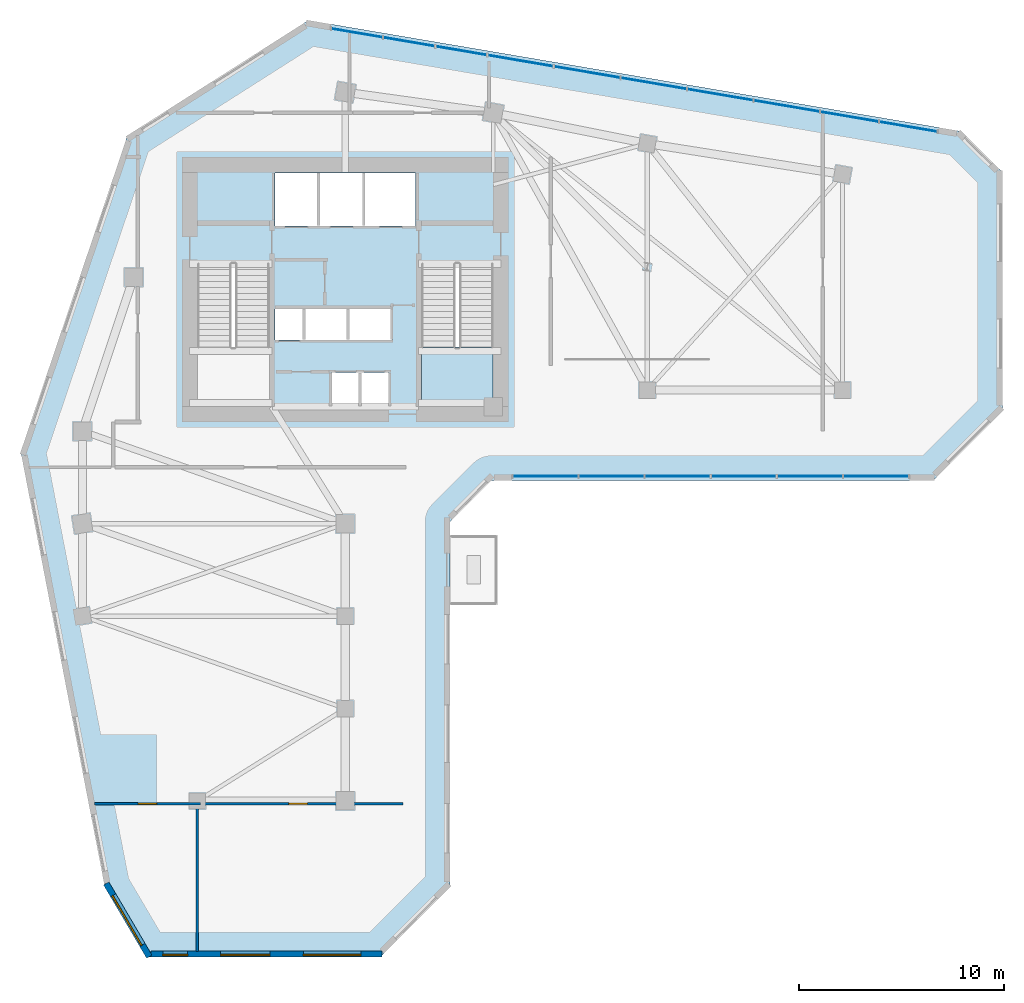
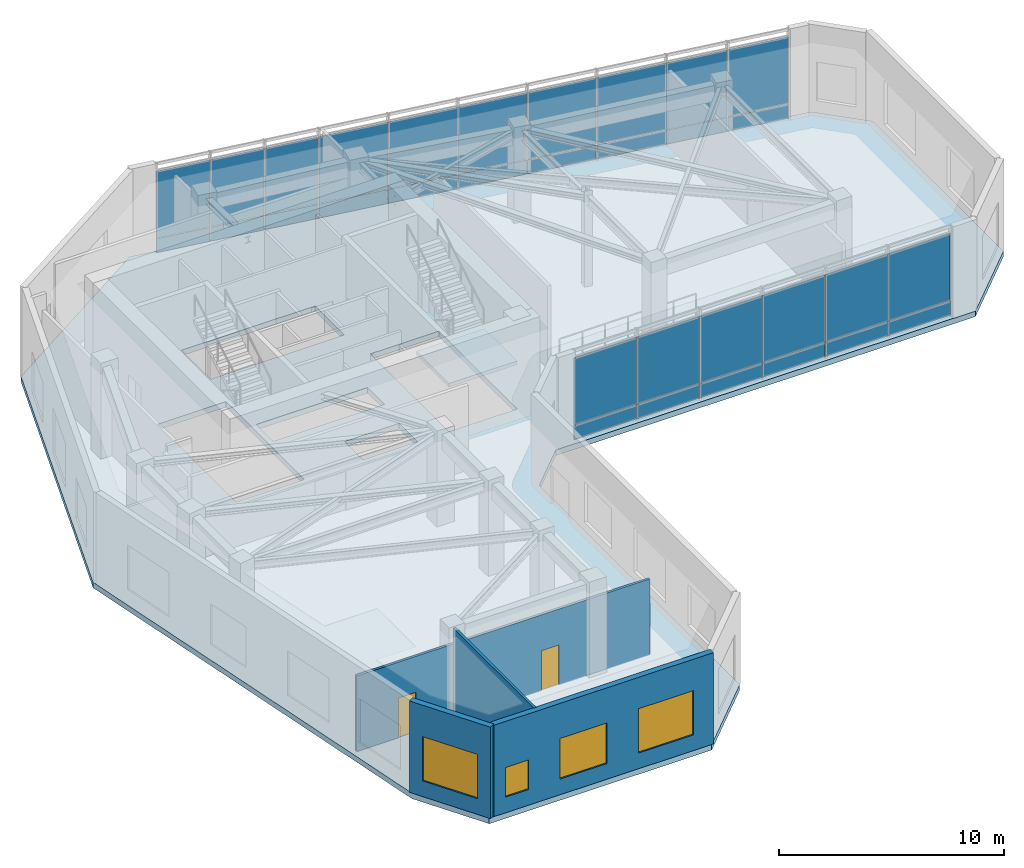
# One storey, part 3 of 9: 32 plates, 5 walls, 4 windows, 2 doors, 2 slabs, 6 openings, 3 elements without a shape of their own.
"""IFC4 building model written with IfcOpenShell, lengths in metres."""

from ifc_helpers import new_model, si_unit, direction, frame, frame_2d, origin, place, context, subcontext, project, spatial, polyline, rectangle, outline, extrude, source, transform, mapped, material, layer, layer_set, type_object, element, fill, aggregate, save


model = new_model("IFC4")

# Units and contexts
model_context = context("Model", 3, precision=1e-05, world=origin(), true_north=direction((0.0, 1.0)))
body_context = subcontext(model_context, "Body", "Model", "MODEL_VIEW")
ifc_project = project(units=[si_unit("LENGTHUNIT", "METRE"), si_unit("AREAUNIT", "SQUARE_METRE"), si_unit("VOLUMEUNIT", "CUBIC_METRE"), si_unit("PLANEANGLEUNIT", "RADIAN"), si_unit("MASSUNIT", "GRAM", prefix="KILO")], contexts=[model_context])

# Site, building, storey
site_placement = place(None, origin())
site = spatial("IfcSite", under=ifc_project, at=site_placement, CompositionType="ELEMENT")
building_placement = place(site_placement, origin())
building = spatial("IfcBuilding", under=site, at=building_placement, Name="Calvemar Wedge Station Tower", CompositionType="ELEMENT")
storey_placement = place(building_placement, frame((0.0, 0.0, 105.39990234375)))
storey = spatial("IfcBuildingStorey", under=building, at=storey_placement, Name="L25", CompositionType="ELEMENT", Elevation=105.39990234375)

# Curtain wall, plates
ifc_material_1 = material(Name="Anodised aluminium 6063-T6", Category="aluminium")
curtain_wall_type = type_object("IfcCurtainWallType", Name="CW6", PredefinedType="NOTDEFINED", material=ifc_material_1)
curtain_wall_1_placement = place(storey_placement, origin())
curtain_wall_1 = element("IfcCurtainWall", 1, at=curtain_wall_1_placement, inside=storey, type_object=curtain_wall_type, Name="Storey L25 CW6 Recessed Unitised Curtain Wall 6", PredefinedType="NOTDEFINED")
ifc_material_2 = material(Name="Low-E laminated insulated glass", Category="glass")
ifc_layer_1 = layer(ifc_material_2, 0.028076171875)
ifc_layer_set_1 = layer_set([ifc_layer_1], Name="Low-E laminated insulated glass")
plate_type_1 = type_object("IfcPlateType", Name="CW6-GLZ", PredefinedType="CURTAIN_PANEL", material=ifc_layer_set_1)
plate_1_placement = place(storey_placement, frame((31.951904296875, 30.802001953125, 0.8701171875), z_axis=(0.0, 0.0, 1.0), x_axis=(1.0, 0.0, 0.0)))
plate_1 = element("IfcPlate", 2, at=plate_1_placement, type_object=plate_type_1, Name="CW6 vision glass panel 1", PredefinedType="CURTAIN_PANEL", context=body_context, shape_type="SweptSolid", body=[
    extrude(rectangle(XDim=3.181396484375, YDim=0.028076171875, at=frame_2d((1.5908203125, 0.0))), origin(), (0.0, 0.0, 1.0), 3.60986328125),
])
plate_2_placement = place(storey_placement, frame((35.169189453125, 30.802001953125, 0.8701171875), z_axis=(0.0, 0.0, 1.0), x_axis=(1.0, 0.0, 0.0)))
plate_2 = element("IfcPlate", 3, at=plate_2_placement, type_object=plate_type_1, Name="CW6 vision glass panel 2", PredefinedType="CURTAIN_PANEL", context=body_context, shape_type="SweptSolid", body=[
    extrude(rectangle(XDim=3.181396484375, YDim=0.028076171875, at=frame_2d((1.5908203125, 0.0))), origin(), (0.0, 0.0, 1.0), 3.60986328125),
])
plate_3_placement = place(storey_placement, frame((38.38671875, 30.802001953125, 0.8701171875), z_axis=(0.0, 0.0, 1.0), x_axis=(1.0, 0.0, 0.0)))
plate_3 = element("IfcPlate", 4, at=plate_3_placement, type_object=plate_type_1, Name="CW6 vision glass panel 3", PredefinedType="CURTAIN_PANEL", context=body_context, shape_type="SweptSolid", body=[
    extrude(rectangle(XDim=3.18115234375, YDim=0.028076171875, at=frame_2d((1.590576171875, 0.0))), origin(), (0.0, 0.0, 1.0), 3.60986328125),
])
plate_4_placement = place(storey_placement, frame((41.60400390625, 30.802001953125, 0.8701171875), z_axis=(0.0, 0.0, 1.0), x_axis=(1.0, 0.0, 0.0)))
plate_4 = element("IfcPlate", 5, at=plate_4_placement, type_object=plate_type_1, Name="CW6 vision glass panel 4", PredefinedType="CURTAIN_PANEL", context=body_context, shape_type="SweptSolid", body=[
    extrude(rectangle(XDim=3.18115234375, YDim=0.028076171875, at=frame_2d((1.590576171875, 0.0))), origin(), (0.0, 0.0, 1.0), 3.60986328125),
])
plate_5_placement = place(storey_placement, frame((44.8212890625, 30.802001953125, 0.8701171875), z_axis=(0.0, 0.0, 1.0), x_axis=(1.0, 0.0, 0.0)))
plate_5 = element("IfcPlate", 6, at=plate_5_placement, type_object=plate_type_1, Name="CW6 vision glass panel 5", PredefinedType="CURTAIN_PANEL", context=body_context, shape_type="SweptSolid", body=[
    extrude(rectangle(XDim=3.181396484375, YDim=0.028076171875, at=frame_2d((1.5908203125, 0.0))), origin(), (0.0, 0.0, 1.0), 3.60986328125),
])
plate_6_placement = place(storey_placement, frame((48.03857421875, 30.802001953125, 0.8701171875), z_axis=(0.0, 0.0, 1.0), x_axis=(1.0, 0.0, 0.0)))
plate_6 = element("IfcPlate", 7, at=plate_6_placement, type_object=plate_type_1, Name="CW6 vision glass panel 6", PredefinedType="CURTAIN_PANEL", context=body_context, shape_type="SweptSolid", body=[
    extrude(rectangle(XDim=3.181396484375, YDim=0.028076171875, at=frame_2d((1.5908203125, 0.0))), origin(), (0.0, 0.0, 1.0), 3.60986328125),
])

curtain_wall_2_placement = place(storey_placement, origin())
curtain_wall_2 = element("IfcCurtainWall", 8, at=curtain_wall_2_placement, inside=storey, type_object=curtain_wall_type, Name="Storey L25 CW6 Recessed Unitised Curtain Wall 10", PredefinedType="NOTDEFINED")
plate_7_placement = place(storey_placement, frame((52.615478515625, 47.580322265625, 0.8701171875), z_axis=(0.0, 0.0, 1.0), x_axis=(-0.985843328294, 0.167669114801, 0.0)))
plate_7 = element("IfcPlate", 9, at=plate_7_placement, type_object=plate_type_1, Name="CW6 vision glass panel 1", PredefinedType="CURTAIN_PANEL", context=body_context, shape_type="SweptSolid", body=[
    extrude(rectangle(XDim=2.868408203125, YDim=0.028076171875, at=frame_2d((1.43408203125, 0.0))), origin(), (0.0, 0.0, 1.0), 3.60986328125),
])
plate_8_placement = place(storey_placement, frame((49.751953125, 48.0673828125, 0.8701171875), z_axis=(0.0, 0.0, 1.0), x_axis=(-0.985843328294, 0.167669114801, 0.0)))
plate_8 = element("IfcPlate", 10, at=plate_8_placement, type_object=plate_type_1, Name="CW6 vision glass panel 2", PredefinedType="CURTAIN_PANEL", context=body_context, shape_type="SweptSolid", body=[
    extrude(rectangle(XDim=2.868408203125, YDim=0.028076171875, at=frame_2d((1.43408203125, 0.0))), origin(), (0.0, 0.0, 1.0), 3.60986328125),
])
plate_9_placement = place(storey_placement, frame((46.888427734375, 48.554443359375, 0.8701171875), z_axis=(0.0, 0.0, 1.0), x_axis=(-0.985844425969, 0.16766266068, 0.0)))
plate_9 = element("IfcPlate", 11, at=plate_9_placement, type_object=plate_type_1, Name="CW6 vision glass panel 3", PredefinedType="CURTAIN_PANEL", context=body_context, shape_type="SweptSolid", body=[
    extrude(rectangle(XDim=3.25, YDim=0.028076171875, at=frame_2d((1.625, 0.0))), origin(), (0.0, 0.0, 1.0), 3.60986328125),
])
plate_10_placement = place(storey_placement, frame((43.64892578125, 49.105224609375, 0.8701171875), z_axis=(0.0, 0.0, 1.0), x_axis=(-0.98584653735, 0.167650245437, 0.0)))
plate_10 = element("IfcPlate", 12, at=plate_10_placement, type_object=plate_type_1, Name="CW6 vision glass panel 4", PredefinedType="CURTAIN_PANEL", context=body_context, shape_type="SweptSolid", body=[
    extrude(rectangle(XDim=3.250244140625, YDim=0.028076171875, at=frame_2d((1.625, 0.0))), origin(), (0.0, 0.0, 1.0), 3.60986328125),
])
plate_11_placement = place(storey_placement, frame((40.4091796875, 49.65625, 0.8701171875), z_axis=(0.0, 0.0, 1.0), x_axis=(-0.985844425969, 0.16766266068, 0.0)))
plate_11 = element("IfcPlate", 13, at=plate_11_placement, type_object=plate_type_1, Name="CW6 vision glass panel 5", PredefinedType="CURTAIN_PANEL", context=body_context, shape_type="SweptSolid", body=[
    extrude(rectangle(XDim=3.25, YDim=0.028076171875, at=frame_2d((1.625, 0.0))), origin(), (0.0, 0.0, 1.0), 3.60986328125),
])
plate_12_placement = place(storey_placement, frame((37.169677734375, 50.207275390625, 0.8701171875), z_axis=(0.0, 0.0, 1.0), x_axis=(-0.98584653735, 0.167650245437, 0.0)))
plate_12 = element("IfcPlate", 14, at=plate_12_placement, type_object=plate_type_1, Name="CW6 vision glass panel 6", PredefinedType="CURTAIN_PANEL", context=body_context, shape_type="SweptSolid", body=[
    extrude(rectangle(XDim=3.250244140625, YDim=0.028076171875, at=frame_2d((1.625, 0.0))), origin(), (0.0, 0.0, 1.0), 3.60986328125),
])
plate_13_placement = place(storey_placement, frame((33.929931640625, 50.75830078125, 0.8701171875), z_axis=(0.0, 0.0, 1.0), x_axis=(-0.98585683957, 0.167589653237, 0.0)))
plate_13 = element("IfcPlate", 15, at=plate_13_placement, type_object=plate_type_1, Name="CW6 vision glass panel 7", PredefinedType="CURTAIN_PANEL", context=body_context, shape_type="SweptSolid", body=[
    extrude(rectangle(XDim=3.25, YDim=0.028076171875, at=frame_2d((1.625, 0.0))), origin(), (0.0, 0.0, 1.0), 3.60986328125),
])
plate_14_placement = place(storey_placement, frame((30.6904296875, 51.30908203125, 0.8701171875), z_axis=(0.0, 0.0, 1.0), x_axis=(-0.985852344868, 0.167616091467, 0.0)))
plate_14 = element("IfcPlate", 16, at=plate_14_placement, type_object=plate_type_1, Name="CW6 vision glass panel 8", PredefinedType="CURTAIN_PANEL", context=body_context, shape_type="SweptSolid", body=[
    extrude(rectangle(XDim=2.534423828125, YDim=0.028076171875, at=frame_2d((1.26708984375, 0.0))), origin(), (0.0, 0.0, 1.0), 3.60986328125),
])
plate_15_placement = place(storey_placement, frame((28.156494140625, 51.739990234375, 0.8701171875), z_axis=(0.0, 0.0, 1.0), x_axis=(-0.985852344868, 0.167616091467, 0.0)))
plate_15 = element("IfcPlate", 17, at=plate_15_placement, type_object=plate_type_1, Name="CW6 vision glass panel 9", PredefinedType="CURTAIN_PANEL", context=body_context, shape_type="SweptSolid", body=[
    extrude(rectangle(XDim=2.534423828125, YDim=0.028076171875, at=frame_2d((1.26708984375, 0.0))), origin(), (0.0, 0.0, 1.0), 3.60986328125),
])
plate_16_placement = place(storey_placement, frame((25.622314453125, 52.1708984375, 0.8701171875), z_axis=(0.0, 0.0, 1.0), x_axis=(-0.985833712673, 0.16772564192, 0.0)))
plate_16 = element("IfcPlate", 18, at=plate_16_placement, type_object=plate_type_1, Name="CW6 vision glass panel 10", PredefinedType="CURTAIN_PANEL", context=body_context, shape_type="SweptSolid", body=[
    extrude(rectangle(XDim=2.5341796875, YDim=0.028076171875, at=frame_2d((1.26708984375, 0.0))), origin(), (0.0, 0.0, 1.0), 3.60986328125),
])

# Plate
ifc_material_3 = material(Name="Oxidized bronze aluminium spandrel panel 5005-H24", Category="aluminium")
ifc_layer_2 = layer(ifc_material_3, 0.0400390625)
ifc_layer_set_2 = layer_set([ifc_layer_2], Name="Oxidized bronze aluminium spandrel panel 5005-H24")
plate_type_2 = type_object("IfcPlateType", Name="CW6-SPD", PredefinedType="SHEET", material=ifc_layer_set_2)
plate_17_placement = place(storey_placement, frame((31.951904296875, 30.802001953125, 0.080078125), z_axis=(0.0, 0.0, 1.0), x_axis=(1.0, 0.0, 0.0)))
plate_17 = element("IfcPlate", 19, at=plate_17_placement, type_object=plate_type_2, Name="CW6 bronze spandrel panel 1", PredefinedType="SHEET", context=body_context, shape_type="SweptSolid", body=[
    extrude(rectangle(XDim=3.181396484375, YDim=0.0400390625, at=frame_2d((1.5908203125, 0.0))), origin(), (0.0, 0.0, 1.0), 0.75),
])

plate_18_placement = place(storey_placement, frame((35.169189453125, 30.802001953125, 0.080078125), z_axis=(0.0, 0.0, 1.0), x_axis=(1.0, 0.0, 0.0)))
plate_18 = element("IfcPlate", 20, at=plate_18_placement, type_object=plate_type_2, Name="CW6 bronze spandrel panel 2", PredefinedType="SHEET", context=body_context, shape_type="SweptSolid", body=[
    extrude(rectangle(XDim=3.181396484375, YDim=0.0400390625, at=frame_2d((1.5908203125, 0.0))), origin(), (0.0, 0.0, 1.0), 0.75),
])

plate_19_placement = place(storey_placement, frame((38.38671875, 30.802001953125, 0.080078125), z_axis=(0.0, 0.0, 1.0), x_axis=(1.0, 0.0, 0.0)))
plate_19 = element("IfcPlate", 21, at=plate_19_placement, type_object=plate_type_2, Name="CW6 bronze spandrel panel 3", PredefinedType="SHEET", context=body_context, shape_type="SweptSolid", body=[
    extrude(rectangle(XDim=3.18115234375, YDim=0.0400390625, at=frame_2d((1.590576171875, 0.0))), origin(), (0.0, 0.0, 1.0), 0.75),
])

plate_20_placement = place(storey_placement, frame((41.60400390625, 30.802001953125, 0.080078125), z_axis=(0.0, 0.0, 1.0), x_axis=(1.0, 0.0, 0.0)))
plate_20 = element("IfcPlate", 22, at=plate_20_placement, type_object=plate_type_2, Name="CW6 bronze spandrel panel 4", PredefinedType="SHEET", context=body_context, shape_type="SweptSolid", body=[
    extrude(rectangle(XDim=3.18115234375, YDim=0.0400390625, at=frame_2d((1.590576171875, 0.0))), origin(), (0.0, 0.0, 1.0), 0.75),
])

plate_21_placement = place(storey_placement, frame((44.8212890625, 30.802001953125, 0.080078125), z_axis=(0.0, 0.0, 1.0), x_axis=(1.0, 0.0, 0.0)))
plate_21 = element("IfcPlate", 23, at=plate_21_placement, type_object=plate_type_2, Name="CW6 bronze spandrel panel 5", PredefinedType="SHEET", context=body_context, shape_type="SweptSolid", body=[
    extrude(rectangle(XDim=3.181396484375, YDim=0.0400390625, at=frame_2d((1.5908203125, 0.0))), origin(), (0.0, 0.0, 1.0), 0.75),
])

plate_22_placement = place(storey_placement, frame((48.03857421875, 30.802001953125, 0.080078125), z_axis=(0.0, 0.0, 1.0), x_axis=(1.0, 0.0, 0.0)))
plate_22 = element("IfcPlate", 24, at=plate_22_placement, type_object=plate_type_2, Name="CW6 bronze spandrel panel 6", PredefinedType="SHEET", context=body_context, shape_type="SweptSolid", body=[
    extrude(rectangle(XDim=3.181396484375, YDim=0.0400390625, at=frame_2d((1.5908203125, 0.0))), origin(), (0.0, 0.0, 1.0), 0.75),
])

aggregate(curtain_wall_1, [plate_17, plate_1, plate_18, plate_2, plate_19, plate_3, plate_20, plate_4, plate_21, plate_5, plate_22, plate_6])

plate_23_placement = place(storey_placement, frame((52.615478515625, 47.580322265625, 0.080078125), z_axis=(0.0, 0.0, 1.0), x_axis=(-0.985843328294, 0.167669114801, 0.0)))
plate_23 = element("IfcPlate", 25, at=plate_23_placement, type_object=plate_type_2, Name="CW6 bronze spandrel panel 1", PredefinedType="SHEET", context=body_context, shape_type="SweptSolid", body=[
    extrude(rectangle(XDim=2.868408203125, YDim=0.0400390625, at=frame_2d((1.43408203125, 0.0))), origin(), (0.0, 0.0, 1.0), 0.75),
])

plate_24_placement = place(storey_placement, frame((49.751953125, 48.0673828125, 0.080078125), z_axis=(0.0, 0.0, 1.0), x_axis=(-0.985843328294, 0.167669114801, 0.0)))
plate_24 = element("IfcPlate", 26, at=plate_24_placement, type_object=plate_type_2, Name="CW6 bronze spandrel panel 2", PredefinedType="SHEET", context=body_context, shape_type="SweptSolid", body=[
    extrude(rectangle(XDim=2.868408203125, YDim=0.0400390625, at=frame_2d((1.43408203125, 0.0))), origin(), (0.0, 0.0, 1.0), 0.75),
])

plate_25_placement = place(storey_placement, frame((46.888427734375, 48.554443359375, 0.080078125), z_axis=(0.0, 0.0, 1.0), x_axis=(-0.985844425969, 0.16766266068, 0.0)))
plate_25 = element("IfcPlate", 27, at=plate_25_placement, type_object=plate_type_2, Name="CW6 bronze spandrel panel 3", PredefinedType="SHEET", context=body_context, shape_type="SweptSolid", body=[
    extrude(rectangle(XDim=3.25, YDim=0.0400390625, at=frame_2d((1.625, 0.0))), origin(), (0.0, 0.0, 1.0), 0.75),
])

plate_26_placement = place(storey_placement, frame((43.64892578125, 49.105224609375, 0.080078125), z_axis=(0.0, 0.0, 1.0), x_axis=(-0.98584653735, 0.167650245437, 0.0)))
plate_26 = element("IfcPlate", 28, at=plate_26_placement, type_object=plate_type_2, Name="CW6 bronze spandrel panel 4", PredefinedType="SHEET", context=body_context, shape_type="SweptSolid", body=[
    extrude(rectangle(XDim=3.250244140625, YDim=0.0400390625, at=frame_2d((1.625, 0.0))), origin(), (0.0, 0.0, 1.0), 0.75),
])

plate_27_placement = place(storey_placement, frame((40.4091796875, 49.65625, 0.080078125), z_axis=(0.0, 0.0, 1.0), x_axis=(-0.985844425969, 0.16766266068, 0.0)))
plate_27 = element("IfcPlate", 29, at=plate_27_placement, type_object=plate_type_2, Name="CW6 bronze spandrel panel 5", PredefinedType="SHEET", context=body_context, shape_type="SweptSolid", body=[
    extrude(rectangle(XDim=3.25, YDim=0.0400390625, at=frame_2d((1.625, 0.0))), origin(), (0.0, 0.0, 1.0), 0.75),
])

plate_28_placement = place(storey_placement, frame((37.169677734375, 50.207275390625, 0.080078125), z_axis=(0.0, 0.0, 1.0), x_axis=(-0.98584653735, 0.167650245437, 0.0)))
plate_28 = element("IfcPlate", 30, at=plate_28_placement, type_object=plate_type_2, Name="CW6 bronze spandrel panel 6", PredefinedType="SHEET", context=body_context, shape_type="SweptSolid", body=[
    extrude(rectangle(XDim=3.250244140625, YDim=0.0400390625, at=frame_2d((1.625, 0.0))), origin(), (0.0, 0.0, 1.0), 0.75),
])

plate_29_placement = place(storey_placement, frame((33.929931640625, 50.75830078125, 0.080078125), z_axis=(0.0, 0.0, 1.0), x_axis=(-0.98585683957, 0.167589653237, 0.0)))
plate_29 = element("IfcPlate", 31, at=plate_29_placement, type_object=plate_type_2, Name="CW6 bronze spandrel panel 7", PredefinedType="SHEET", context=body_context, shape_type="SweptSolid", body=[
    extrude(rectangle(XDim=3.25, YDim=0.0400390625, at=frame_2d((1.625, 0.0))), origin(), (0.0, 0.0, 1.0), 0.75),
])

plate_30_placement = place(storey_placement, frame((30.6904296875, 51.30908203125, 0.080078125), z_axis=(0.0, 0.0, 1.0), x_axis=(-0.985852344868, 0.167616091467, 0.0)))
plate_30 = element("IfcPlate", 32, at=plate_30_placement, type_object=plate_type_2, Name="CW6 bronze spandrel panel 8", PredefinedType="SHEET", context=body_context, shape_type="SweptSolid", body=[
    extrude(rectangle(XDim=2.534423828125, YDim=0.0400390625, at=frame_2d((1.26708984375, 0.0))), origin(), (0.0, 0.0, 1.0), 0.75),
])

plate_31_placement = place(storey_placement, frame((28.156494140625, 51.739990234375, 0.080078125), z_axis=(0.0, 0.0, 1.0), x_axis=(-0.985852344868, 0.167616091467, 0.0)))
plate_31 = element("IfcPlate", 33, at=plate_31_placement, type_object=plate_type_2, Name="CW6 bronze spandrel panel 9", PredefinedType="SHEET", context=body_context, shape_type="SweptSolid", body=[
    extrude(rectangle(XDim=2.534423828125, YDim=0.0400390625, at=frame_2d((1.26708984375, 0.0))), origin(), (0.0, 0.0, 1.0), 0.75),
])

plate_32_placement = place(storey_placement, frame((25.622314453125, 52.1708984375, 0.080078125), z_axis=(0.0, 0.0, 1.0), x_axis=(-0.985833712673, 0.16772564192, 0.0)))
plate_32 = element("IfcPlate", 34, at=plate_32_placement, type_object=plate_type_2, Name="CW6 bronze spandrel panel 10", PredefinedType="SHEET", context=body_context, shape_type="SweptSolid", body=[
    extrude(rectangle(XDim=2.5341796875, YDim=0.0400390625, at=frame_2d((1.26708984375, 0.0))), origin(), (0.0, 0.0, 1.0), 0.75),
])

aggregate(curtain_wall_2, [plate_23, plate_7, plate_24, plate_8, plate_25, plate_9, plate_26, plate_10, plate_27, plate_11, plate_28, plate_12, plate_29, plate_13, plate_30, plate_14, plate_31, plate_15, plate_32, plate_16])

# Slab
ifc_material_4 = material(Name="Concrete C50", Category="concrete")
ifc_layer_3 = layer(ifc_material_4, 0.300048828125)
ifc_layer_set_3 = layer_set([ifc_layer_3], Name="Concrete C50")
slab_type_1 = type_object("IfcSlabType", Name="SL-REF-300", PredefinedType="FLOOR", material=ifc_layer_set_3)
slab_1_placement = place(storey_placement, frame((0.0, 0.0, -0.2998046875)))
element("IfcSlab", 35, at=slab_1_placement, inside=storey, type_object=slab_type_1, Name="Storey L25 Structural Floor Slab", PredefinedType="FLOOR", context=body_context, shape_type="SweptSolid", body=[
    extrude(outline(polyline([(8.0, 32.0), (12.095947265625, 10.800048828125), (14.095947265625, 7.39990234375), (25.49609375, 7.39990234375), (28.89599609375, 10.800048828125), (28.89599609375, 28.592041015625), (30.89599609375, 30.592041015625), (52.39990234375, 30.592041015625), (55.800048828125, 33.991943359375), (55.800048828125, 45.592041015625), (53.800048828125, 47.592041015625), (22.0, 53.0), (13.199951171875, 47.39990234375), (8.0, 32.0)]), holes=[polyline([(24.52001953125, 35.85009765625), (24.510009765625, 35.85009765625), (23.1201171875, 35.85009765625), (23.1201171875, 34.219970703125), (24.510009765625, 34.219970703125), (24.52001953125, 34.219970703125), (25.909912109375, 34.219970703125), (25.909912109375, 35.85009765625), (24.52001953125, 35.85009765625)]), polyline([(16.60009765625, 34.199951171875), (20.10009765625, 34.199951171875), (20.10009765625, 41.14990234375), (16.60009765625, 41.14990234375), (16.60009765625, 34.199951171875)]), polyline([(27.5, 34.199951171875), (31.0, 34.199951171875), (31.0, 41.14990234375), (27.5, 41.14990234375), (27.5, 34.199951171875)]), polyline([(21.800048828125, 38.949951171875), (21.7900390625, 38.949951171875), (20.3798828125, 38.949951171875), (20.3798828125, 37.449951171875), (21.7900390625, 37.449951171875), (21.800048828125, 37.449951171875), (23.929931640625, 37.449951171875), (23.93994140625, 37.449951171875), (26.080078125, 37.449951171875), (26.080078125, 38.949951171875), (23.93994140625, 38.949951171875), (23.929931640625, 38.949951171875), (21.800048828125, 38.949951171875)]), polyline([(27.219970703125, 43.0), (27.219970703125, 45.580078125), (20.3798828125, 45.580078125), (20.3798828125, 43.0), (27.219970703125, 43.0)])]), origin(), (0.0, 0.0, 1.0), 0.2998046875),
])

# Stair, slab
ifc_material_5 = material(Name="Concrete C45", Category="concrete")
stair_type = type_object("IfcStairType", Name="ST-TYPE-5200", PredefinedType="HALF_TURN_STAIR", material=ifc_material_5)
stair_placement = place(storey_placement, origin())
stair = element("IfcStair", 36, at=stair_placement, inside=storey, type_object=stair_type, Name="L25 Pressurized Core Exit Stair ST-C2", PredefinedType="HALF_TURN_STAIR")
ifc_layer_4 = layer(ifc_material_5, 0.199951171875)
ifc_layer_set_4 = layer_set([ifc_layer_4], Name="Concrete C45")
slab_type_2 = type_object("IfcSlabType", Name="SL-STAIR-LND-200", PredefinedType="LANDING", material=ifc_layer_set_4)
slab_2_placement = place(storey_placement, frame((0.0, 0.0, 2.400146484375)))
slab_2 = element("IfcSlab", 37, at=slab_2_placement, type_object=slab_type_2, Name="ST-C2 landing 1", PredefinedType="LANDING", context=body_context, shape_type="SweptSolid", body=[
    extrude(outline(polyline([(27.5, 37.090087890625), (27.5, 34.199951171875), (31.0, 34.199951171875), (31.0, 37.090087890625), (27.5, 37.090087890625)])), origin(), (0.0, 0.0, 1.0), 0.199951171875),
])
aggregate(stair, [slab_2])

# Wall, opening, window
ifc_material_6 = material(Name="Precast concrete C45", Category="concrete")
ifc_layer_5 = layer(ifc_material_6, 0.300048828125)
ifc_layer_set_5 = layer_set([ifc_layer_5], Name="Precast concrete C45")
wall_type_1 = type_object("IfcWallType", Name="W-EXT-GFRC-300", PredefinedType="SOLIDWALL", material=ifc_layer_set_5)
wall_1_placement = place(storey_placement, frame((12.162353515625, 10.983154296875, 0.0), z_axis=(0.0, 0.0, 1.0), x_axis=(0.506996893234, -0.861947881401, 0.0)))
wall_1 = element("IfcWall", 38, at=wall_1_placement, inside=storey, type_object=wall_type_1, Name="Storey L25 Bronze GFRC Exterior Wall 1", PredefinedType="SOLIDWALL", context=body_context, shape_type="SweptSolid", body=[
    extrude(rectangle(XDim=4.133056640625, YDim=0.300048828125, at=frame_2d((2.06640625, 0.0))), origin(), (0.0, 0.0, 1.0), 4.9501953125),
])
shared_shape_1 = source(origin(), body_context, "Body", "SweptSolid", [
    extrude(rectangle(XDim=2.800048828125, YDim=2.39990234375, at=frame_2d((1.39990234375, 1.199951171875))), frame((0.0, 0.16015625, 0.0), z_axis=(0.0, -1.0, 0.0), x_axis=(1.0, 0.0, 0.0)), (0.0, 0.0, 1.0), 0.320068359375),
])
opening_1_placement = place(wall_1_placement, frame((0.6669921875, 0.0, 0.85009765625)))
opening_1 = element("IfcOpeningElement", 39, at=opening_1_placement, cuts=wall_1, Name="Opening W6", PredefinedType="OPENING", context=body_context, shape_type="MappedRepresentation", body=[
    mapped(shared_shape_1, transform((0.0, 0.0, 0.0), scale=1.0)),
])
window_type_1 = type_object("IfcWindowType", Name="WIN-EXT-6", PartitioningType="SINGLE_PANEL", PredefinedType="WINDOW", material=ifc_material_2)
shared_shape_2 = source(origin(), body_context, "Body", "SweptSolid", [
    extrude(rectangle(XDim=2.800048828125, YDim=2.39990234375, at=frame_2d((1.39990234375, 1.199951171875))), frame((0.0, -0.014892578125, 0.0), z_axis=(0.0, -1.0, 0.0), x_axis=(1.0, 0.0, 0.0)), (0.0, 0.0, 1.0), 0.06005859375),
])
window_1_placement = place(opening_1_placement, origin())
window_1 = element("IfcWindow", 40, at=window_1_placement, inside=storey, type_object=window_type_1, Name="Storey L25 Recessed Window 1.1", OverallHeight=2.39990234375, OverallWidth=2.800048828125, PartitioningType="SINGLE_PANEL", PredefinedType="WINDOW", context=body_context, shape_type="MappedRepresentation", body=[
    mapped(shared_shape_2, transform((0.0, 0.0, 0.0), scale=1.0)),
])
fill(opening_1, window_1)

# Wall, openings, windows
wall_2_placement = place(storey_placement, frame((14.341796875, 7.550048828125, 0.0), z_axis=(0.0, 0.0, 1.0), x_axis=(1.0, 0.0, 0.0)))
wall_2 = element("IfcWall", 41, at=wall_2_placement, inside=storey, type_object=wall_type_1, Name="Storey L25 Bronze GFRC Exterior Wall 2", PredefinedType="SOLIDWALL", context=body_context, shape_type="SweptSolid", body=[
    extrude(rectangle(XDim=11.2421875, YDim=0.300048828125, at=frame_2d((5.62109375, 0.0))), origin(), (0.0, 0.0, 1.0), 4.9501953125),
])
shared_shape_3 = source(origin(), body_context, "Body", "SweptSolid", [
    extrude(rectangle(XDim=1.199951171875, YDim=1.60009765625, at=frame_2d((0.60009765625, 0.800048828125))), frame((0.0, 0.16015625, 0.0), z_axis=(0.0, -1.0, 0.0), x_axis=(1.0, 0.0, 0.0)), (0.0, 0.0, 1.0), 0.320068359375),
])
opening_2_placement = place(wall_2_placement, frame((0.5791015625, 0.0, 0.85009765625)))
opening_2 = element("IfcOpeningElement", 42, at=opening_2_placement, cuts=wall_2, Name="Opening W5", PredefinedType="OPENING", context=body_context, shape_type="MappedRepresentation", body=[
    mapped(shared_shape_3, transform((0.0, 0.0, 0.0), scale=1.0)),
])
shared_shape_4 = source(origin(), body_context, "Body", "SweptSolid", [
    extrude(rectangle(XDim=2.39990234375, YDim=2.199951171875, at=frame_2d((1.199951171875, 1.10009765625))), frame((0.0, 0.16015625, 0.0), z_axis=(0.0, -1.0, 0.0), x_axis=(1.0, 0.0, 0.0)), (0.0, 0.0, 1.0), 0.320068359375),
])
opening_3_placement = place(wall_2_placement, frame((3.388916015625, 0.0, 0.85009765625)))
opening_3 = element("IfcOpeningElement", 43, at=opening_3_placement, cuts=wall_2, Name="Opening W1", PredefinedType="OPENING", context=body_context, shape_type="MappedRepresentation", body=[
    mapped(shared_shape_4, transform((0.0, 0.0, 0.0), scale=1.0)),
])
opening_4_placement = place(wall_2_placement, frame((7.410888671875, 0.0, 0.85009765625)))
opening_4 = element("IfcOpeningElement", 44, at=opening_4_placement, cuts=wall_2, Name="Opening W6", PredefinedType="OPENING", context=body_context, shape_type="MappedRepresentation", body=[
    mapped(shared_shape_1, transform((0.0, 0.0, 0.0), scale=1.0)),
])
window_2_placement = place(opening_4_placement, origin())
window_2 = element("IfcWindow", 45, at=window_2_placement, inside=storey, type_object=window_type_1, Name="Storey L25 Recessed Window 2.3", OverallHeight=2.39990234375, OverallWidth=2.800048828125, PartitioningType="SINGLE_PANEL", PredefinedType="WINDOW", context=body_context, shape_type="MappedRepresentation", body=[
    mapped(shared_shape_2, transform((0.0, 0.0, 0.0), scale=1.0)),
])
fill(opening_4, window_2)
window_type_2 = type_object("IfcWindowType", Name="WIN-EXT-1", PartitioningType="SINGLE_PANEL", PredefinedType="WINDOW", material=ifc_material_2)
shared_shape_5 = source(origin(), body_context, "Body", "SweptSolid", [
    extrude(rectangle(XDim=2.39990234375, YDim=2.199951171875, at=frame_2d((1.199951171875, 1.10009765625))), frame((0.0, -0.014892578125, 0.0), z_axis=(0.0, -1.0, 0.0), x_axis=(1.0, 0.0, 0.0)), (0.0, 0.0, 1.0), 0.06005859375),
])
window_3_placement = place(opening_3_placement, origin())
window_3 = element("IfcWindow", 46, at=window_3_placement, inside=storey, type_object=window_type_2, Name="Storey L25 Recessed Window 2.2", OverallHeight=2.199951171875, OverallWidth=2.39990234375, PartitioningType="SINGLE_PANEL", PredefinedType="WINDOW", context=body_context, shape_type="MappedRepresentation", body=[
    mapped(shared_shape_5, transform((0.0, 0.0, 0.0), scale=1.0)),
])
fill(opening_3, window_3)
window_type_3 = type_object("IfcWindowType", Name="WIN-EXT-5", PartitioningType="SINGLE_PANEL", PredefinedType="WINDOW", material=ifc_material_2)
shared_shape_6 = source(origin(), body_context, "Body", "SweptSolid", [
    extrude(rectangle(XDim=1.199951171875, YDim=1.60009765625, at=frame_2d((0.60009765625, 0.800048828125))), frame((0.0, -0.014892578125, 0.0), z_axis=(0.0, -1.0, 0.0), x_axis=(1.0, 0.0, 0.0)), (0.0, 0.0, 1.0), 0.06005859375),
])
window_4_placement = place(opening_2_placement, origin())
window_4 = element("IfcWindow", 47, at=window_4_placement, inside=storey, type_object=window_type_3, Name="Storey L25 Recessed Window 2.1", OverallHeight=1.60009765625, OverallWidth=1.199951171875, PartitioningType="SINGLE_PANEL", PredefinedType="WINDOW", context=body_context, shape_type="MappedRepresentation", body=[
    mapped(shared_shape_6, transform((0.0, 0.0, 0.0), scale=1.0)),
])
fill(opening_2, window_4)

# Wall, opening, door
ifc_material_7 = material(Name="Insulated acoustic gypsum stud partition")
ifc_layer_6 = layer(ifc_material_7, 0.125)
ifc_layer_set_6 = layer_set([ifc_layer_6], Name="Insulated acoustic gypsum stud partition")
wall_type_2 = type_object("IfcWallType", Name="W-PART-125", PredefinedType="PARTITIONING", material=ifc_layer_set_6)
wall_3_placement = place(storey_placement, frame((16.760009765625, 14.864990234375, 0.0), z_axis=(0.0, 0.0, 1.0), x_axis=(-1.0, 0.0, 0.0)))
wall_3 = element("IfcWall", 48, at=wall_3_placement, inside=storey, type_object=wall_type_2, Name="Storey L25 Interior Partition WL-L25-016", PredefinedType="PARTITIONING", context=body_context, shape_type="SweptSolid", body=[
    extrude(rectangle(XDim=5.179443359375, YDim=0.125, at=frame_2d((2.58984375, 0.0))), origin(), (0.0, 0.0, 1.0), 4.092041015625),
])
shared_shape_7 = source(origin(), body_context, "Body", "SweptSolid", [
    extrude(rectangle(XDim=0.89990234375, YDim=2.14990234375, at=frame_2d((0.449951171875, 1.074951171875))), frame((0.0, 0.072509765625, 0.0), z_axis=(0.0, -1.0, 0.0), x_axis=(1.0, 0.0, 0.0)), (0.0, 0.0, 1.0), 0.14501953125),
])
opening_5_placement = place(wall_3_placement, frame((2.139892578125, 0.0, 0.0)))
opening_5 = element("IfcOpeningElement", 49, at=opening_5_placement, cuts=wall_3, Name="Opening D-01", PredefinedType="OPENING", context=body_context, shape_type="MappedRepresentation", body=[
    mapped(shared_shape_7, transform((0.0, 0.0, 0.0), scale=1.0)),
])
ifc_material_8 = material(Name="Architectural hardwood acoustic swing door", Category="wood")
door_type = type_object("IfcDoorType", Name="DR-INT-900", OperationType="NOTDEFINED", PredefinedType="DOOR", material=ifc_material_8)
shared_shape_8 = source(origin(), body_context, "Body", "SweptSolid", [
    extrude(rectangle(XDim=0.89990234375, YDim=2.14990234375, at=frame_2d((0.449951171875, 1.074951171875))), frame((0.0, 0.02490234375, 0.0), z_axis=(0.0, -1.0, 0.0), x_axis=(1.0, 0.0, 0.0)), (0.0, 0.0, 1.0), 0.050048828125),
])
door_1_placement = place(opening_5_placement, origin())
door_1 = element("IfcDoor", 50, at=door_1_placement, inside=storey, type_object=door_type, Name="L25 Sky Fitness Studio Door", OperationType="SINGLE_SWING_LEFT", OverallHeight=2.14990234375, OverallWidth=0.89990234375, PredefinedType="DOOR", context=body_context, shape_type="MappedRepresentation", body=[
    mapped(shared_shape_8, transform((0.0, 0.0, 0.0), scale=1.0)),
])
fill(opening_5, door_1)

wall_4_placement = place(storey_placement, frame((26.60009765625, 14.864990234375, 0.0), z_axis=(0.0, 0.0, 1.0), x_axis=(-1.0, 0.0, 0.0)))
wall_4 = element("IfcWall", 51, at=wall_4_placement, inside=storey, type_object=wall_type_2, Name="Storey L25 Interior Partition WL-L25-017", PredefinedType="PARTITIONING", context=body_context, shape_type="SweptSolid", body=[
    extrude(rectangle(XDim=9.838134765625, YDim=0.125, at=frame_2d((4.9189453125, 0.0))), origin(), (0.0, 0.0, 1.0), 4.092041015625),
])
opening_6_placement = place(wall_4_placement, frame((4.651123046875, 0.0, 0.0)))
opening_6 = element("IfcOpeningElement", 52, at=opening_6_placement, cuts=wall_4, Name="Opening D-01", PredefinedType="OPENING", context=body_context, shape_type="MappedRepresentation", body=[
    mapped(shared_shape_7, transform((0.0, 0.0, 0.0), scale=1.0)),
])
door_2_placement = place(opening_6_placement, origin())
door_2 = element("IfcDoor", 53, at=door_2_placement, inside=storey, type_object=door_type, Name="L25 Concierge Boardroom Door", OperationType="SINGLE_SWING_RIGHT", OverallHeight=2.14990234375, OverallWidth=0.89990234375, PredefinedType="DOOR", context=body_context, shape_type="MappedRepresentation", body=[
    mapped(shared_shape_8, transform((0.0, 0.0, 0.0), scale=1.0)),
])
fill(opening_6, door_2)

# Wall
wall_5_placement = place(storey_placement, frame((16.60009765625, 14.798583984375, 0.0), z_axis=(0.0, 0.0, 1.0), x_axis=(0.0, -1.0, 0.0)))
element("IfcWall", 54, at=wall_5_placement, inside=storey, type_object=wall_type_2, Name="Storey L25 Interior Partition WL-L25-018", PredefinedType="PARTITIONING", context=body_context, shape_type="SweptSolid", body=[
    extrude(rectangle(XDim=7.133544921875, YDim=0.125, at=frame_2d((3.56689453125, 0.0))), origin(), (0.0, 0.0, 1.0), 4.9501953125),
])

save(model, "model.ifc")
